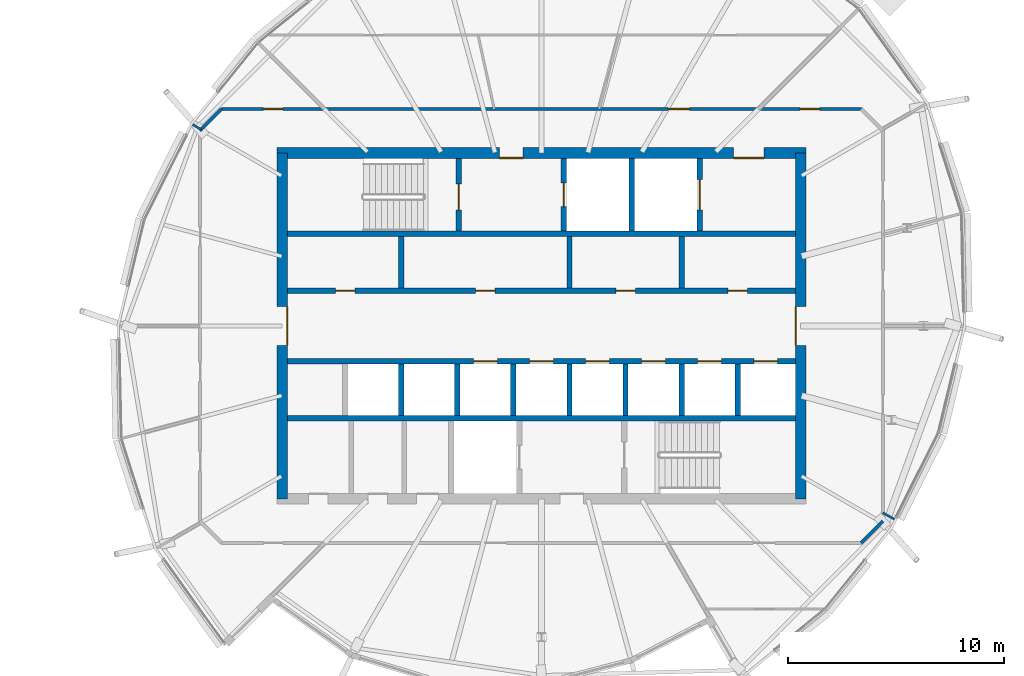
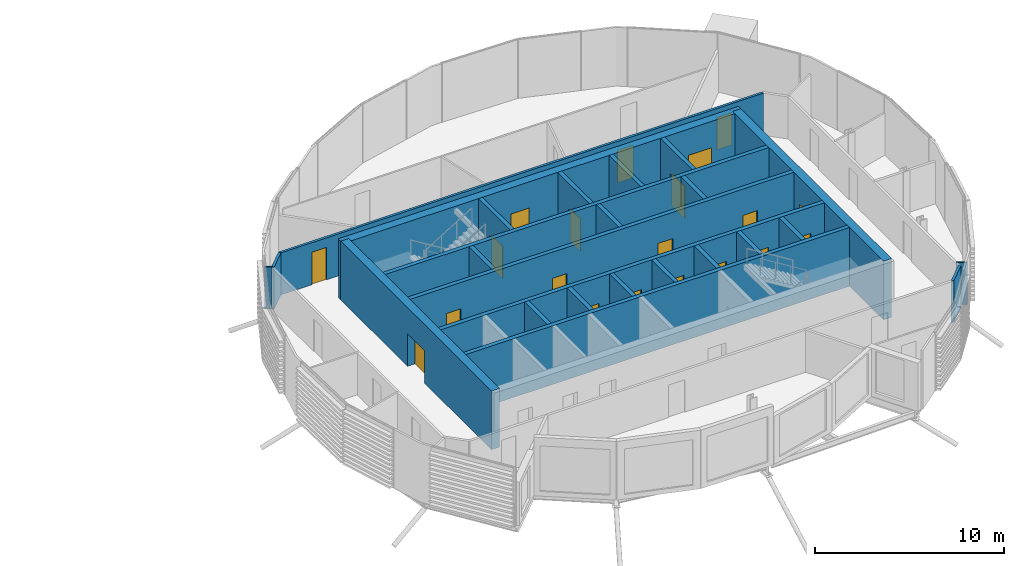
# One storey, part 20 of 35: 26 walls, 20 doors, 20 openings.
"""IFC4 building model written with IfcOpenShell, lengths in metres."""

from ifc_helpers import new_model, si_unit, direction, frame, frame_2d, origin, place, context, subcontext, project, spatial, rectangle, extrude, material, layer, layer_set, type_object, element, fill, save


model = new_model("IFC4")

# Units and contexts
model_context = context("Model", 3, precision=1e-05, world=origin(), true_north=direction((0.0, 1.0)))
body_context = subcontext(model_context, "Body", "Model", "MODEL_VIEW")
ifc_project = project(units=[si_unit("LENGTHUNIT", "METRE"), si_unit("AREAUNIT", "SQUARE_METRE"), si_unit("VOLUMEUNIT", "CUBIC_METRE"), si_unit("PLANEANGLEUNIT", "RADIAN"), si_unit("MASSUNIT", "GRAM", prefix="KILO")], contexts=[model_context])

# Site, building, storey
site_placement = place(None, origin())
site = spatial("IfcSite", under=ifc_project, at=site_placement, CompositionType="ELEMENT")
building_placement = place(site_placement, origin())
building = spatial("IfcBuilding", under=site, at=building_placement, Name="Rimbun Link Towers", CompositionType="ELEMENT")
storey_placement = place(building_placement, frame((0.0, 0.0, 225.699951171875)))
storey = spatial("IfcBuildingStorey", under=building, at=storey_placement, Name="L55", CompositionType="ELEMENT", Elevation=225.699951171875)

# Wall, openings, doors
ifc_material_1 = material(Name="Concrete C60/75", Category="concrete")
ifc_layer_1 = layer(ifc_material_1, 0.5)
ifc_layer_set_1 = layer_set([ifc_layer_1], Name="Core shear wall 500")
wall_type_1 = type_object("IfcWallType", Name="Core shear wall 500", PredefinedType="SHEAR", material=ifc_layer_set_1)
wall_1_placement = place(storey_placement, frame((19.5, 8.0, 0.0), z_axis=(0.0, 0.0, 1.0), x_axis=(1.0, 0.0, 0.0)))
wall_1 = element("IfcWall", 1, at=wall_1_placement, inside=storey, type_object=wall_type_1, Name="L55 T2 core wall N", PredefinedType="SHEAR", context=body_context, shape_type="SweptSolid", body=[
    extrude(rectangle(XDim=24.5, YDim=0.5, at=frame_2d((12.25, 0.0))), origin(), (0.0, 0.0, 1.0), 3.800048828125),
])
opening_1_placement = place(wall_1_placement, frame((10.300048828125, 0.0, 0.0)))
opening_1 = element("IfcOpeningElement", 2, at=opening_1_placement, cuts=wall_1, Name="Opening C2DCF01N", PredefinedType="OPENING", context=body_context, shape_type="SweptSolid", body=[
    extrude(rectangle(XDim=1.10009765625, YDim=2.10009765625, at=frame_2d((0.550048828125, 1.050048828125))), frame((0.0, 0.260009765625, 0.0), z_axis=(0.0, -1.0, 0.0), x_axis=(1.0, 0.0, 0.0)), (0.0, 0.0, 1.0), 0.52001953125),
])
opening_2_placement = place(wall_1_placement, frame((21.14990234375, 0.0, 0.0)))
opening_2 = element("IfcOpeningElement", 3, at=opening_2_placement, cuts=wall_1, Name="Opening C2DSL02N", PredefinedType="OPENING", context=body_context, shape_type="SweptSolid", body=[
    extrude(rectangle(XDim=1.39990234375, YDim=2.10009765625, at=frame_2d((0.699951171875, 1.050048828125))), frame((0.0, 0.260009765625, 0.0), z_axis=(0.0, -1.0, 0.0), x_axis=(1.0, 0.0, 0.0)), (0.0, 0.0, 1.0), 0.52001953125),
])
ifc_material_2 = material(Name="Steel fire door set", Category="steel")
door_type_1 = type_object("IfcDoorType", Name="Core fire door single", OperationType="SINGLE_SWING_LEFT", PredefinedType="DOOR", material=ifc_material_2)
door_1_placement = place(opening_1_placement, origin())
door_1 = element("IfcDoor", 4, at=door_1_placement, inside=storey, type_object=door_type_1, Name="L55 T2 firefighting lobby n door", OperationType="SINGLE_SWING_RIGHT", OverallHeight=2.10009765625, OverallWidth=1.10009765625, PredefinedType="DOOR", context=body_context, shape_type="SweptSolid", body=[
    extrude(rectangle(XDim=1.10009765625, YDim=2.10009765625, at=frame_2d((0.550048828125, 1.050048828125))), frame((0.0, -0.2001953125, 0.0), z_axis=(0.0, -1.0, 0.0), x_axis=(1.0, 0.0, 0.0)), (0.0, 0.0, 1.0), 0.050048828125),
])
fill(opening_1, door_1)
ifc_material_3 = material(Name="Steel fire door set", Category="steel")
door_type_2 = type_object("IfcDoorType", Name="Service lobby door double", OperationType="DOUBLE_DOOR_SINGLE_SWING", PredefinedType="DOOR", material=ifc_material_3)
door_2_placement = place(opening_2_placement, origin())
door_2 = element("IfcDoor", 5, at=door_2_placement, inside=storey, type_object=door_type_2, Name="L55 T2 service lobby door", OperationType="DOUBLE_DOOR_SINGLE_SWING", OverallHeight=2.10009765625, OverallWidth=1.39990234375, PredefinedType="DOOR", context=body_context, shape_type="SweptSolid", body=[
    extrude(rectangle(XDim=1.39990234375, YDim=2.10009765625, at=frame_2d((0.699951171875, 1.050048828125))), frame((0.0, -0.2001953125, 0.0), z_axis=(0.0, -1.0, 0.0), x_axis=(1.0, 0.0, 0.0)), (0.0, 0.0, 1.0), 0.050048828125),
])
fill(opening_2, door_2)

# Wall, opening, door
wall_2_placement = place(storey_placement, frame((43.75, -8.0, 0.0), z_axis=(0.0, 0.0, 1.0), x_axis=(0.0, 1.0, 0.0)))
wall_2 = element("IfcWall", 6, at=wall_2_placement, inside=storey, type_object=wall_type_1, Name="L55 T2 core wall E", PredefinedType="SHEAR", context=body_context, shape_type="SweptSolid", body=[
    extrude(rectangle(XDim=16.0, YDim=0.5, at=frame_2d((8.0, 0.0))), origin(), (0.0, 0.0, 1.0), 3.800048828125),
])
opening_3_placement = place(wall_2_placement, frame((7.10009765625, 0.0, 0.0)))
opening_3 = element("IfcOpeningElement", 7, at=opening_3_placement, cuts=wall_2, Name="Opening C2DCL01E", PredefinedType="OPENING", context=body_context, shape_type="SweptSolid", body=[
    extrude(rectangle(XDim=1.800048828125, YDim=2.10009765625, at=frame_2d((0.89990234375, 1.050048828125))), frame((0.0, 0.260009765625, 0.0), z_axis=(0.0, -1.0, 0.0), x_axis=(1.0, 0.0, 0.0)), (0.0, 0.0, 1.0), 0.52001953125),
])
ifc_material_4 = material(Name="Steel fire door set", Category="steel")
door_type_3 = type_object("IfcDoorType", Name="Core lobby door double", OperationType="DOUBLE_DOOR_SINGLE_SWING", PredefinedType="DOOR", material=ifc_material_4)
door_3_placement = place(opening_3_placement, origin())
door_3 = element("IfcDoor", 8, at=door_3_placement, inside=storey, type_object=door_type_3, Name="L55 T2 lift lobby door", OperationType="DOUBLE_DOOR_SINGLE_SWING", OverallHeight=2.10009765625, OverallWidth=1.800048828125, PredefinedType="DOOR", context=body_context, shape_type="SweptSolid", body=[
    extrude(rectangle(XDim=1.800048828125, YDim=2.10009765625, at=frame_2d((0.89990234375, 1.050048828125))), frame((0.0, 0.25, 0.0), z_axis=(0.0, -1.0, 0.0), x_axis=(1.0, 0.0, 0.0)), (0.0, 0.0, 1.0), 0.050048828125),
])
fill(opening_3, door_3)

wall_3_placement = place(storey_placement, frame((19.75, -8.0, 0.0), z_axis=(0.0, 0.0, 1.0), x_axis=(0.0, 1.0, 0.0)))
wall_3 = element("IfcWall", 9, at=wall_3_placement, inside=storey, type_object=wall_type_1, Name="L55 T2 core wall W", PredefinedType="SHEAR", context=body_context, shape_type="SweptSolid", body=[
    extrude(rectangle(XDim=16.0, YDim=0.5, at=frame_2d((8.0, 0.0))), origin(), (0.0, 0.0, 1.0), 3.800048828125),
])
opening_4_placement = place(wall_3_placement, frame((7.10009765625, 0.0, 0.0)))
opening_4 = element("IfcOpeningElement", 10, at=opening_4_placement, cuts=wall_3, Name="Opening C2DCL01W", PredefinedType="OPENING", context=body_context, shape_type="SweptSolid", body=[
    extrude(rectangle(XDim=1.800048828125, YDim=2.10009765625, at=frame_2d((0.89990234375, 1.050048828125))), frame((0.0, 0.260009765625, 0.0), z_axis=(0.0, -1.0, 0.0), x_axis=(1.0, 0.0, 0.0)), (0.0, 0.0, 1.0), 0.52001953125),
])
door_4_placement = place(opening_4_placement, origin())
door_4 = element("IfcDoor", 11, at=door_4_placement, inside=storey, type_object=door_type_3, Name="L55 T2 lift lobby door", OperationType="DOUBLE_DOOR_SINGLE_SWING", OverallHeight=2.10009765625, OverallWidth=1.800048828125, PredefinedType="DOOR", context=body_context, shape_type="SweptSolid", body=[
    extrude(rectangle(XDim=1.800048828125, YDim=2.10009765625, at=frame_2d((0.89990234375, 1.050048828125))), frame((0.0, -0.2001953125, 0.0), z_axis=(0.0, -1.0, 0.0), x_axis=(1.0, 0.0, 0.0)), (0.0, 0.0, 1.0), 0.050048828125),
])
fill(opening_4, door_4)

# Wall, openings, doors
ifc_material_5 = material(Name="Plasterboard on steel stud, mineral wool", Category="steel")
ifc_layer_2 = layer(ifc_material_5, 0.14990234375)
ifc_layer_set_2 = layer_set([ifc_layer_2], Name="Corridor wall EI 30 150 mm")
wall_type_2 = type_object("IfcWallType", Name="Corridor wall EI 30 150 mm", PredefinedType="PARTITIONING", material=ifc_layer_set_2)
wall_4_placement = place(storey_placement, frame((16.9462890625, 10.044921875, 0.0), z_axis=(0.0, 0.0, 1.0), x_axis=(1.0, 0.0, 0.0)))
wall_4 = element("IfcWall", 12, at=wall_4_placement, inside=storey, type_object=wall_type_2, Name="Corridor wall EI 30 150 mm", PredefinedType="PARTITIONING", context=body_context, shape_type="SweptSolid", body=[
    extrude(rectangle(XDim=29.607421875, YDim=0.14990234375, at=frame_2d((14.8037109375, 0.0))), origin(), (0.0, 0.0, 1.0), 2.72216796875),
])
opening_5_placement = place(wall_4_placement, frame((26.778076171875, 0.0, 0.0)))
opening_5 = element("IfcOpeningElement", 13, at=opening_5_placement, cuts=wall_4, Name="Opening D02", PredefinedType="OPENING", context=body_context, shape_type="SweptSolid", body=[
    extrude(rectangle(XDim=0.89990234375, YDim=2.10009765625, at=frame_2d((0.449951171875, 1.050048828125))), frame((0.0, 0.0849609375, 0.0), z_axis=(0.0, -1.0, 0.0), x_axis=(1.0, 0.0, 0.0)), (0.0, 0.0, 1.0), 0.169921875),
])
opening_6_placement = place(wall_4_placement, frame((20.66455078125, 0.0, 0.0)))
opening_6 = element("IfcOpeningElement", 14, at=opening_6_placement, cuts=wall_4, Name="Opening D01", PredefinedType="OPENING", context=body_context, shape_type="SweptSolid", body=[
    extrude(rectangle(XDim=1.0, YDim=2.10009765625, at=frame_2d((0.5, 1.050048828125))), frame((0.0, 0.0849609375, 0.0), z_axis=(0.0, -1.0, 0.0), x_axis=(1.0, 0.0, 0.0)), (0.0, 0.0, 1.0), 0.169921875),
])
opening_7_placement = place(wall_4_placement, frame((1.92919921875, 0.0, 0.0)))
opening_7 = element("IfcOpeningElement", 15, at=opening_7_placement, cuts=wall_4, Name="Opening D02", PredefinedType="OPENING", context=body_context, shape_type="SweptSolid", body=[
    extrude(rectangle(XDim=0.89990234375, YDim=2.10009765625, at=frame_2d((0.449951171875, 1.050048828125))), frame((0.0, 0.0849609375, 0.0), z_axis=(0.0, -1.0, 0.0), x_axis=(1.0, 0.0, 0.0)), (0.0, 0.0, 1.0), 0.169921875),
])
ifc_material_6 = material(Name="Fire-resisting timber door leaf", Category="wood")
door_type_4 = type_object("IfcDoorType", Name="Fire door FD30S 1000", OperationType="NOTDEFINED", PredefinedType="DOOR", material=ifc_material_6)
door_5_placement = place(opening_6_placement, origin())
door_5 = element("IfcDoor", 16, at=door_5_placement, inside=storey, type_object=door_type_4, Name="Fire door FD30S 1000 to Reception", OperationType="SINGLE_SWING_LEFT", OverallHeight=2.10009765625, OverallWidth=1.0, PredefinedType="DOOR", context=body_context, shape_type="SweptSolid", body=[
    extrude(rectangle(XDim=1.0, YDim=2.10009765625, at=frame_2d((0.5, 1.050048828125))), frame((0.0, 0.02490234375, 0.0), z_axis=(0.0, -1.0, 0.0), x_axis=(1.0, 0.0, 0.0)), (0.0, 0.0, 1.0), 0.050048828125),
])
fill(opening_6, door_5)
ifc_material_7 = material(Name="Fire-resisting timber door leaf", Category="wood")
door_type_5 = type_object("IfcDoorType", Name="Fire door FD30S 900", OperationType="NOTDEFINED", PredefinedType="DOOR", material=ifc_material_7)
door_6_placement = place(opening_5_placement, origin())
door_6 = element("IfcDoor", 17, at=door_6_placement, inside=storey, type_object=door_type_5, Name="Fire door FD30S 900 to Meeting room", OperationType="SINGLE_SWING_RIGHT", OverallHeight=2.10009765625, OverallWidth=0.89990234375, PredefinedType="DOOR", context=body_context, shape_type="SweptSolid", body=[
    extrude(rectangle(XDim=0.89990234375, YDim=2.10009765625, at=frame_2d((0.449951171875, 1.050048828125))), frame((0.0, 0.02490234375, 0.0), z_axis=(0.0, -1.0, 0.0), x_axis=(1.0, 0.0, 0.0)), (0.0, 0.0, 1.0), 0.050048828125),
])
fill(opening_5, door_6)
door_7_placement = place(opening_7_placement, origin())
door_7 = element("IfcDoor", 18, at=door_7_placement, inside=storey, type_object=door_type_5, Name="Fire door FD30S 900 to Meeting room", OperationType="SINGLE_SWING_RIGHT", OverallHeight=2.10009765625, OverallWidth=0.89990234375, PredefinedType="DOOR", context=body_context, shape_type="SweptSolid", body=[
    extrude(rectangle(XDim=0.89990234375, YDim=2.10009765625, at=frame_2d((0.449951171875, 1.050048828125))), frame((0.0, 0.02490234375, 0.0), z_axis=(0.0, -1.0, 0.0), x_axis=(1.0, 0.0, 0.0)), (0.0, 0.0, 1.0), 0.050048828125),
])
fill(opening_7, door_7)

# Walls
for number, where, z_axis, x_axis, name in (
    (19, (46.5537109375, -10.044921875, 0.0), (0.0, 0.0, 1.0), (0.707106781187, 0.707106781187, 0.0), "Corridor wall EI 30 150 mm"),
    (20, (16.9462890625, 10.044921875, 0.0), (0.0, 0.0, 1.0), (-0.707106781187, -0.707106781187, 0.0), "Corridor wall EI 30 150 mm"),
):
    element("IfcWall", number, at=place(storey_placement, frame(where, z_axis=z_axis, x_axis=x_axis)), inside=storey, type_object=wall_type_2, Name=name, PredefinedType="PARTITIONING", context=body_context, shape_type="SweptSolid", body=[
        extrude(rectangle(XDim=1.416015625, YDim=0.14990234375, at=frame_2d((0.7080078125, 0.0))), origin(), (0.0, 0.0, 1.0), 2.72216796875),
    ])
ifc_material_8 = material(Name="Plasterboard on steel stud", Category="steel")
ifc_layer_3 = layer(ifc_material_8, 0.10009765625)
ifc_layer_set_3 = layer_set([ifc_layer_3], Name="Plasterboard partition 100 mm")
wall_type_3 = type_object("IfcWallType", Name="Plasterboard partition 100 mm", PredefinedType="PARTITIONING", material=ifc_layer_set_3)
wall_5_placement = place(storey_placement, frame((48.089111328125, -8.945068359375, 0.0), z_axis=(0.0, 0.0, 1.0), x_axis=(-0.877128434288, 0.480255879468, 0.0)))
element("IfcWall", 21, at=wall_5_placement, inside=storey, type_object=wall_type_3, Name="Plasterboard partition 100 mm", PredefinedType="PARTITIONING", context=body_context, shape_type="SweptSolid", body=[
    extrude(rectangle(XDim=0.609130859375, YDim=0.10009765625, at=frame_2d((0.3046875, 0.0))), origin(), (0.0, 0.0, 1.0), 2.72216796875),
])
wall_6_placement = place(storey_placement, frame((15.600830078125, 9.32373046875, 0.0), z_axis=(0.0, 0.0, 1.0), x_axis=(0.865998750002, -0.500046162864, 0.0)))
element("IfcWall", 22, at=wall_6_placement, inside=storey, type_object=wall_type_3, Name="Plasterboard partition 100 mm", PredefinedType="PARTITIONING", context=body_context, shape_type="SweptSolid", body=[
    extrude(rectangle(XDim=0.45703125, YDim=0.10009765625, at=frame_2d((0.228515625, 0.0))), origin(), (0.0, 0.0, 1.0), 2.72216796875),
])
ifc_material_9 = material(Name="Concrete C60/75", Category="concrete")
ifc_layer_4 = layer(ifc_material_9, 0.25)
ifc_layer_set_4 = layer_set([ifc_layer_4], Name="Shaft wall 250")
wall_type_4 = type_object("IfcWallType", Name="Shaft wall 250", PredefinedType="SHEAR", material=ifc_layer_set_4)
for number, where, z_axis, x_axis, name in (
    (23, (20.0, 4.27490234375, 0.0), (0.0, 0.0, 1.0), (1.0, 0.0, 0.0), "L55 T2 core wall BN"),
    (24, (20.0, -4.27490234375, 0.0), (0.0, 0.0, 1.0), (1.0, 0.0, 0.0), "L55 T2 core wall BS"),
):
    element("IfcWall", number, at=place(storey_placement, frame(where, z_axis=z_axis, x_axis=x_axis)), inside=storey, type_object=wall_type_4, Name=name, PredefinedType="SHEAR", context=body_context, shape_type="SweptSolid", body=[
        extrude(rectangle(XDim=23.5, YDim=0.25, at=frame_2d((11.75, 0.0))), origin(), (0.0, 0.0, 1.0), 3.800048828125),
    ])

# Wall, openings, doors
wall_7_placement = place(storey_placement, frame((20.0, 1.625, 0.0), z_axis=(0.0, 0.0, 1.0), x_axis=(1.0, 0.0, 0.0)))
wall_7 = element("IfcWall", 25, at=wall_7_placement, inside=storey, type_object=wall_type_4, Name="L55 T2 core wall FN", PredefinedType="SHEAR", context=body_context, shape_type="SweptSolid", body=[
    extrude(rectangle(XDim=23.5, YDim=0.25, at=frame_2d((11.75, 0.0))), origin(), (0.0, 0.0, 1.0), 3.800048828125),
])
opening_8_placement = place(wall_7_placement, frame((2.219482421875, 0.0, 0.0)))
opening_8 = element("IfcOpeningElement", 26, at=opening_8_placement, cuts=wall_7, Name="Opening C2DRS01FN", PredefinedType="OPENING", context=body_context, shape_type="SweptSolid", body=[
    extrude(rectangle(XDim=0.89990234375, YDim=2.10009765625, at=frame_2d((0.449951171875, 1.050048828125))), frame((0.0, 0.135009765625, 0.0), z_axis=(0.0, -1.0, 0.0), x_axis=(1.0, 0.0, 0.0)), (0.0, 0.0, 1.0), 0.27001953125),
])
opening_9_placement = place(wall_7_placement, frame((8.70556640625, 0.0, 0.0)))
opening_9 = element("IfcOpeningElement", 27, at=opening_9_placement, cuts=wall_7, Name="Opening C2DRS02FN", PredefinedType="OPENING", context=body_context, shape_type="SweptSolid", body=[
    extrude(rectangle(XDim=0.89990234375, YDim=2.10009765625, at=frame_2d((0.449951171875, 1.050048828125))), frame((0.0, 0.135009765625, 0.0), z_axis=(0.0, -1.0, 0.0), x_axis=(1.0, 0.0, 0.0)), (0.0, 0.0, 1.0), 0.27001953125),
])
opening_10_placement = place(wall_7_placement, frame((15.191650390625, 0.0, 0.0)))
opening_10 = element("IfcOpeningElement", 28, at=opening_10_placement, cuts=wall_7, Name="Opening C2DRS03FN", PredefinedType="OPENING", context=body_context, shape_type="SweptSolid", body=[
    extrude(rectangle(XDim=0.89990234375, YDim=2.10009765625, at=frame_2d((0.449951171875, 1.050048828125))), frame((0.0, 0.135009765625, 0.0), z_axis=(0.0, -1.0, 0.0), x_axis=(1.0, 0.0, 0.0)), (0.0, 0.0, 1.0), 0.27001953125),
])
opening_11_placement = place(wall_7_placement, frame((20.380615234375, 0.0, 0.0)))
opening_11 = element("IfcOpeningElement", 29, at=opening_11_placement, cuts=wall_7, Name="Opening C2DRS04FN", PredefinedType="OPENING", context=body_context, shape_type="SweptSolid", body=[
    extrude(rectangle(XDim=0.89990234375, YDim=2.10009765625, at=frame_2d((0.449951171875, 1.050048828125))), frame((0.0, 0.135009765625, 0.0), z_axis=(0.0, -1.0, 0.0), x_axis=(1.0, 0.0, 0.0)), (0.0, 0.0, 1.0), 0.27001953125),
])
ifc_material_10 = material(Name="Steel fire door set", Category="steel")
door_type_6 = type_object("IfcDoorType", Name="Core riser door", OperationType="SINGLE_SWING_LEFT", PredefinedType="DOOR", material=ifc_material_10)
door_8_placement = place(opening_8_placement, origin())
door_8 = element("IfcDoor", 30, at=door_8_placement, inside=storey, type_object=door_type_6, Name="L55 T2 first aid room door", OperationType="SINGLE_SWING_LEFT", OverallHeight=2.10009765625, OverallWidth=0.89990234375, PredefinedType="DOOR", context=body_context, shape_type="SweptSolid", body=[
    extrude(rectangle(XDim=0.89990234375, YDim=2.10009765625, at=frame_2d((0.449951171875, 1.050048828125))), frame((0.0, 0.02490234375, 0.0), z_axis=(0.0, -1.0, 0.0), x_axis=(1.0, 0.0, 0.0)), (0.0, 0.0, 1.0), 0.050048828125),
])
fill(opening_8, door_8)
door_9_placement = place(opening_9_placement, origin())
door_9 = element("IfcDoor", 31, at=door_9_placement, inside=storey, type_object=door_type_6, Name="L55 T2 plant room door", OperationType="SINGLE_SWING_LEFT", OverallHeight=2.10009765625, OverallWidth=0.89990234375, PredefinedType="DOOR", context=body_context, shape_type="SweptSolid", body=[
    extrude(rectangle(XDim=0.89990234375, YDim=2.10009765625, at=frame_2d((0.449951171875, 1.050048828125))), frame((0.0, 0.02490234375, 0.0), z_axis=(0.0, -1.0, 0.0), x_axis=(1.0, 0.0, 0.0)), (0.0, 0.0, 1.0), 0.050048828125),
])
fill(opening_9, door_9)
door_10_placement = place(opening_10_placement, origin())
door_10 = element("IfcDoor", 32, at=door_10_placement, inside=storey, type_object=door_type_6, Name="L55 T2 archive store door", OperationType="SINGLE_SWING_RIGHT", OverallHeight=2.10009765625, OverallWidth=0.89990234375, PredefinedType="DOOR", context=body_context, shape_type="SweptSolid", body=[
    extrude(rectangle(XDim=0.89990234375, YDim=2.10009765625, at=frame_2d((0.449951171875, 1.050048828125))), frame((0.0, 0.02490234375, 0.0), z_axis=(0.0, -1.0, 0.0), x_axis=(1.0, 0.0, 0.0)), (0.0, 0.0, 1.0), 0.050048828125),
])
fill(opening_10, door_10)
door_11_placement = place(opening_11_placement, origin())
door_11 = element("IfcDoor", 33, at=door_11_placement, inside=storey, type_object=door_type_6, Name="L55 T2 pantry door", OperationType="SINGLE_SWING_LEFT", OverallHeight=2.10009765625, OverallWidth=0.89990234375, PredefinedType="DOOR", context=body_context, shape_type="SweptSolid", body=[
    extrude(rectangle(XDim=0.89990234375, YDim=2.10009765625, at=frame_2d((0.449951171875, 1.050048828125))), frame((0.0, 0.02490234375, 0.0), z_axis=(0.0, -1.0, 0.0), x_axis=(1.0, 0.0, 0.0)), (0.0, 0.0, 1.0), 0.050048828125),
])
fill(opening_11, door_11)

wall_8_placement = place(storey_placement, frame((20.0, -1.625, 0.0), z_axis=(0.0, 0.0, 1.0), x_axis=(1.0, 0.0, 0.0)))
wall_8 = element("IfcWall", 34, at=wall_8_placement, inside=storey, type_object=wall_type_4, Name="L55 T2 core wall FS", PredefinedType="SHEAR", context=body_context, shape_type="SweptSolid", body=[
    extrude(rectangle(XDim=23.5, YDim=0.25, at=frame_2d((11.75, 0.0))), origin(), (0.0, 0.0, 1.0), 3.800048828125),
])
opening_12_placement = place(wall_8_placement, frame((8.605712890625, 0.0, 0.0)))
opening_12 = element("IfcOpeningElement", 35, at=opening_12_placement, cuts=wall_8, Name="Opening LD-T2-HR1", PredefinedType="OPENING", context=body_context, shape_type="SweptSolid", body=[
    extrude(rectangle(XDim=1.10009765625, YDim=2.10009765625, at=frame_2d((0.550048828125, 1.050048828125))), frame((0.0, 0.135009765625, 0.0), z_axis=(0.0, -1.0, 0.0), x_axis=(1.0, 0.0, 0.0)), (0.0, 0.0, 1.0), 0.27001953125),
])
opening_13_placement = place(wall_8_placement, frame((11.199951171875, 0.0, 0.0)))
opening_13 = element("IfcOpeningElement", 36, at=opening_13_placement, cuts=wall_8, Name="Opening LD-T2-HR2", PredefinedType="OPENING", context=body_context, shape_type="SweptSolid", body=[
    extrude(rectangle(XDim=1.10009765625, YDim=2.10009765625, at=frame_2d((0.550048828125, 1.050048828125))), frame((0.0, 0.135009765625, 0.0), z_axis=(0.0, -1.0, 0.0), x_axis=(1.0, 0.0, 0.0)), (0.0, 0.0, 1.0), 0.27001953125),
])
opening_14_placement = place(wall_8_placement, frame((13.79443359375, 0.0, 0.0)))
opening_14 = element("IfcOpeningElement", 37, at=opening_14_placement, cuts=wall_8, Name="Opening LD-T2-HR3", PredefinedType="OPENING", context=body_context, shape_type="SweptSolid", body=[
    extrude(rectangle(XDim=1.10009765625, YDim=2.10009765625, at=frame_2d((0.550048828125, 1.050048828125))), frame((0.0, 0.135009765625, 0.0), z_axis=(0.0, -1.0, 0.0), x_axis=(1.0, 0.0, 0.0)), (0.0, 0.0, 1.0), 0.27001953125),
])
opening_15_placement = place(wall_8_placement, frame((16.388916015625, 0.0, 0.0)))
opening_15 = element("IfcOpeningElement", 38, at=opening_15_placement, cuts=wall_8, Name="Opening LD-T2-HR4", PredefinedType="OPENING", context=body_context, shape_type="SweptSolid", body=[
    extrude(rectangle(XDim=1.10009765625, YDim=2.10009765625, at=frame_2d((0.550048828125, 1.050048828125))), frame((0.0, 0.135009765625, 0.0), z_axis=(0.0, -1.0, 0.0), x_axis=(1.0, 0.0, 0.0)), (0.0, 0.0, 1.0), 0.27001953125),
])
opening_16_placement = place(wall_8_placement, frame((18.9833984375, 0.0, 0.0)))
opening_16 = element("IfcOpeningElement", 39, at=opening_16_placement, cuts=wall_8, Name="Opening LD-T2-HR5", PredefinedType="OPENING", context=body_context, shape_type="SweptSolid", body=[
    extrude(rectangle(XDim=1.10009765625, YDim=2.10009765625, at=frame_2d((0.550048828125, 1.050048828125))), frame((0.0, 0.135009765625, 0.0), z_axis=(0.0, -1.0, 0.0), x_axis=(1.0, 0.0, 0.0)), (0.0, 0.0, 1.0), 0.27001953125),
])
opening_17_placement = place(wall_8_placement, frame((21.577880859375, 0.0, 0.0)))
opening_17 = element("IfcOpeningElement", 40, at=opening_17_placement, cuts=wall_8, Name="Opening LD-T2-HR6", PredefinedType="OPENING", context=body_context, shape_type="SweptSolid", body=[
    extrude(rectangle(XDim=1.10009765625, YDim=2.10009765625, at=frame_2d((0.550048828125, 1.050048828125))), frame((0.0, 0.135009765625, 0.0), z_axis=(0.0, -1.0, 0.0), x_axis=(1.0, 0.0, 0.0)), (0.0, 0.0, 1.0), 0.27001953125),
])
ifc_material_11 = material(Name="Stainless steel grade 316", Category="steel")
door_type_7 = type_object("IfcDoorType", Name="Lift landing door", OperationType="DOUBLE_DOOR_SLIDING", PredefinedType="DOOR", material=ifc_material_11)
door_12_placement = place(opening_12_placement, origin())
door_12 = element("IfcDoor", 41, at=door_12_placement, inside=storey, type_object=door_type_7, Name="L55 T2 lift HR1 landing door", OperationType="DOUBLE_DOOR_SLIDING", OverallHeight=2.10009765625, OverallWidth=1.10009765625, PredefinedType="DOOR", context=body_context, shape_type="SweptSolid", body=[
    extrude(rectangle(XDim=1.10009765625, YDim=2.10009765625, at=frame_2d((0.550048828125, 1.050048828125))), frame((0.0, 0.02490234375, 0.0), z_axis=(0.0, -1.0, 0.0), x_axis=(1.0, 0.0, 0.0)), (0.0, 0.0, 1.0), 0.050048828125),
])
fill(opening_12, door_12)
door_13_placement = place(opening_13_placement, origin())
door_13 = element("IfcDoor", 42, at=door_13_placement, inside=storey, type_object=door_type_7, Name="L55 T2 lift HR2 landing door", OperationType="DOUBLE_DOOR_SLIDING", OverallHeight=2.10009765625, OverallWidth=1.10009765625, PredefinedType="DOOR", context=body_context, shape_type="SweptSolid", body=[
    extrude(rectangle(XDim=1.10009765625, YDim=2.10009765625, at=frame_2d((0.550048828125, 1.050048828125))), frame((0.0, 0.02490234375, 0.0), z_axis=(0.0, -1.0, 0.0), x_axis=(1.0, 0.0, 0.0)), (0.0, 0.0, 1.0), 0.050048828125),
])
fill(opening_13, door_13)
door_14_placement = place(opening_14_placement, origin())
door_14 = element("IfcDoor", 43, at=door_14_placement, inside=storey, type_object=door_type_7, Name="L55 T2 lift HR3 landing door", OperationType="DOUBLE_DOOR_SLIDING", OverallHeight=2.10009765625, OverallWidth=1.10009765625, PredefinedType="DOOR", context=body_context, shape_type="SweptSolid", body=[
    extrude(rectangle(XDim=1.10009765625, YDim=2.10009765625, at=frame_2d((0.550048828125, 1.050048828125))), frame((0.0, 0.02490234375, 0.0), z_axis=(0.0, -1.0, 0.0), x_axis=(1.0, 0.0, 0.0)), (0.0, 0.0, 1.0), 0.050048828125),
])
fill(opening_14, door_14)
door_15_placement = place(opening_15_placement, origin())
door_15 = element("IfcDoor", 44, at=door_15_placement, inside=storey, type_object=door_type_7, Name="L55 T2 lift HR4 landing door", OperationType="DOUBLE_DOOR_SLIDING", OverallHeight=2.10009765625, OverallWidth=1.10009765625, PredefinedType="DOOR", context=body_context, shape_type="SweptSolid", body=[
    extrude(rectangle(XDim=1.10009765625, YDim=2.10009765625, at=frame_2d((0.550048828125, 1.050048828125))), frame((0.0, 0.02490234375, 0.0), z_axis=(0.0, -1.0, 0.0), x_axis=(1.0, 0.0, 0.0)), (0.0, 0.0, 1.0), 0.050048828125),
])
fill(opening_15, door_15)
door_16_placement = place(opening_16_placement, origin())
door_16 = element("IfcDoor", 45, at=door_16_placement, inside=storey, type_object=door_type_7, Name="L55 T2 lift HR5 landing door", OperationType="DOUBLE_DOOR_SLIDING", OverallHeight=2.10009765625, OverallWidth=1.10009765625, PredefinedType="DOOR", context=body_context, shape_type="SweptSolid", body=[
    extrude(rectangle(XDim=1.10009765625, YDim=2.10009765625, at=frame_2d((0.550048828125, 1.050048828125))), frame((0.0, 0.02490234375, 0.0), z_axis=(0.0, -1.0, 0.0), x_axis=(1.0, 0.0, 0.0)), (0.0, 0.0, 1.0), 0.050048828125),
])
fill(opening_16, door_16)
door_17_placement = place(opening_17_placement, origin())
door_17 = element("IfcDoor", 46, at=door_17_placement, inside=storey, type_object=door_type_7, Name="L55 T2 lift HR6 landing door", OperationType="DOUBLE_DOOR_SLIDING", OverallHeight=2.10009765625, OverallWidth=1.10009765625, PredefinedType="DOOR", context=body_context, shape_type="SweptSolid", body=[
    extrude(rectangle(XDim=1.10009765625, YDim=2.10009765625, at=frame_2d((0.550048828125, 1.050048828125))), frame((0.0, 0.02490234375, 0.0), z_axis=(0.0, -1.0, 0.0), x_axis=(1.0, 0.0, 0.0)), (0.0, 0.0, 1.0), 0.050048828125),
])
fill(opening_17, door_17)

# Walls
for number, where, z_axis, x_axis, name in (
    (47, (25.263916015625, 1.75, 0.0), (0.0, 0.0, 1.0), (0.0, 1.0, 0.0), "L55 T2 core wall DN1"),
    (48, (33.047119140625, 1.75, 0.0), (0.0, 0.0, 1.0), (0.0, 1.0, 0.0), "L55 T2 core wall DN4"),
    (49, (38.236083984375, 1.75, 0.0), (0.0, 0.0, 1.0), (0.0, 1.0, 0.0), "L55 T2 core wall DN6"),
    (50, (25.263916015625, -4.14990234375, 0.0), (0.0, 0.0, 1.0), (0.0, 1.0, 0.0), "L55 T2 core wall DS1"),
    (51, (27.8583984375, -4.14990234375, 0.0), (0.0, 0.0, 1.0), (0.0, 1.0, 0.0), "L55 T2 core wall DS2"),
    (52, (30.452880859375, -4.14990234375, 0.0), (0.0, 0.0, 1.0), (0.0, 1.0, 0.0), "L55 T2 core wall DS3"),
    (53, (33.047119140625, -4.14990234375, 0.0), (0.0, 0.0, 1.0), (0.0, 1.0, 0.0), "L55 T2 core wall DS4"),
    (54, (35.6416015625, -4.14990234375, 0.0), (0.0, 0.0, 1.0), (0.0, 1.0, 0.0), "L55 T2 core wall DS5"),
    (55, (38.236083984375, -4.14990234375, 0.0), (0.0, 0.0, 1.0), (0.0, 1.0, 0.0), "L55 T2 core wall DS6"),
    (56, (40.83056640625, -4.14990234375, 0.0), (0.0, 0.0, 1.0), (0.0, 1.0, 0.0), "L55 T2 core wall DS7"),
):
    element("IfcWall", number, at=place(storey_placement, frame(where, z_axis=z_axis, x_axis=x_axis)), inside=storey, type_object=wall_type_4, Name=name, PredefinedType="SHEAR", context=body_context, shape_type="SweptSolid", body=[
        extrude(rectangle(XDim=2.39990234375, YDim=0.25, at=frame_2d((1.199951171875, 0.0))), origin(), (0.0, 0.0, 1.0), 3.800048828125),
    ])

# Wall, opening, door
wall_9_placement = place(storey_placement, frame((27.925048828125, 4.39990234375, 0.0), z_axis=(0.0, 0.0, 1.0), x_axis=(0.0, 1.0, 0.0)))
wall_9 = element("IfcWall", 57, at=wall_9_placement, inside=storey, type_object=wall_type_4, Name="L55 T2 core wall A1", PredefinedType="SHEAR", context=body_context, shape_type="SweptSolid", body=[
    extrude(rectangle(XDim=3.35009765625, YDim=0.25, at=frame_2d((1.675048828125, 0.0))), origin(), (0.0, 0.0, 1.0), 3.800048828125),
])
opening_18_placement = place(wall_9_placement, frame((0.97509765625, 0.0, 0.0)))
opening_18 = element("IfcOpeningElement", 58, at=opening_18_placement, cuts=wall_9, Name="Opening C2DST01A1", PredefinedType="OPENING", context=body_context, shape_type="SweptSolid", body=[
    extrude(rectangle(XDim=1.199951171875, YDim=2.10009765625, at=frame_2d((0.60009765625, 1.050048828125))), frame((0.0, 0.135009765625, 0.0), z_axis=(0.0, -1.0, 0.0), x_axis=(1.0, 0.0, 0.0)), (0.0, 0.0, 1.0), 0.27001953125),
])
ifc_material_12 = material(Name="Steel fire door set", Category="steel")
door_type_8 = type_object("IfcDoorType", Name="Stair door", OperationType="SINGLE_SWING_LEFT", PredefinedType="DOOR", material=ifc_material_12)
door_18_placement = place(opening_18_placement, origin())
door_18 = element("IfcDoor", 59, at=door_18_placement, inside=storey, type_object=door_type_8, Name="L55 T2 stair a door", OperationType="SINGLE_SWING_RIGHT", OverallHeight=2.10009765625, OverallWidth=1.199951171875, PredefinedType="DOOR", context=body_context, shape_type="SweptSolid", body=[
    extrude(rectangle(XDim=1.199951171875, YDim=2.10009765625, at=frame_2d((0.60009765625, 1.050048828125))), frame((0.0, 0.02490234375, 0.0), z_axis=(0.0, -1.0, 0.0), x_axis=(1.0, 0.0, 0.0)), (0.0, 0.0, 1.0), 0.050048828125),
])
fill(opening_18, door_18)

wall_10_placement = place(storey_placement, frame((32.77490234375, 4.39990234375, 0.0), z_axis=(0.0, 0.0, 1.0), x_axis=(0.0, 1.0, 0.0)))
wall_10 = element("IfcWall", 60, at=wall_10_placement, inside=storey, type_object=wall_type_4, Name="L55 T2 core wall A2", PredefinedType="SHEAR", context=body_context, shape_type="SweptSolid", body=[
    extrude(rectangle(XDim=3.35009765625, YDim=0.25, at=frame_2d((1.675048828125, 0.0))), origin(), (0.0, 0.0, 1.0), 3.800048828125),
])
opening_19_placement = place(wall_10_placement, frame((1.125, 0.0, 0.0)))
opening_19 = element("IfcOpeningElement", 61, at=opening_19_placement, cuts=wall_10, Name="Opening LD-T2-FF1", PredefinedType="OPENING", context=body_context, shape_type="SweptSolid", body=[
    extrude(rectangle(XDim=1.10009765625, YDim=2.10009765625, at=frame_2d((0.550048828125, 1.050048828125))), frame((0.0, 0.135009765625, 0.0), z_axis=(0.0, -1.0, 0.0), x_axis=(1.0, 0.0, 0.0)), (0.0, 0.0, 1.0), 0.27001953125),
])
door_19_placement = place(opening_19_placement, origin())
door_19 = element("IfcDoor", 62, at=door_19_placement, inside=storey, type_object=door_type_7, Name="L55 T2 lift FF1 landing door", OperationType="DOUBLE_DOOR_SLIDING", OverallHeight=2.10009765625, OverallWidth=1.10009765625, PredefinedType="DOOR", context=body_context, shape_type="SweptSolid", body=[
    extrude(rectangle(XDim=1.10009765625, YDim=2.10009765625, at=frame_2d((0.550048828125, 1.050048828125))), frame((0.0, 0.02490234375, 0.0), z_axis=(0.0, -1.0, 0.0), x_axis=(1.0, 0.0, 0.0)), (0.0, 0.0, 1.0), 0.050048828125),
])
fill(opening_19, door_19)

# Wall
wall_11_placement = place(storey_placement, frame((35.925048828125, 4.39990234375, 0.0), z_axis=(0.0, 0.0, 1.0), x_axis=(0.0, 1.0, 0.0)))
element("IfcWall", 63, at=wall_11_placement, inside=storey, type_object=wall_type_4, Name="L55 T2 core wall A3", PredefinedType="SHEAR", context=body_context, shape_type="SweptSolid", body=[
    extrude(rectangle(XDim=3.35009765625, YDim=0.25, at=frame_2d((1.675048828125, 0.0))), origin(), (0.0, 0.0, 1.0), 3.800048828125),
])

# Wall, opening, door
wall_12_placement = place(storey_placement, frame((39.074951171875, 4.39990234375, 0.0), z_axis=(0.0, 0.0, 1.0), x_axis=(0.0, 1.0, 0.0)))
wall_12 = element("IfcWall", 64, at=wall_12_placement, inside=storey, type_object=wall_type_4, Name="L55 T2 core wall A4", PredefinedType="SHEAR", context=body_context, shape_type="SweptSolid", body=[
    extrude(rectangle(XDim=3.35009765625, YDim=0.25, at=frame_2d((1.675048828125, 0.0))), origin(), (0.0, 0.0, 1.0), 3.800048828125),
])
opening_20_placement = place(wall_12_placement, frame((0.97509765625, 0.0, 0.0)))
opening_20 = element("IfcOpeningElement", 65, at=opening_20_placement, cuts=wall_12, Name="Opening LD-T2-GL1", PredefinedType="OPENING", context=body_context, shape_type="SweptSolid", body=[
    extrude(rectangle(XDim=1.39990234375, YDim=2.10009765625, at=frame_2d((0.699951171875, 1.050048828125))), frame((0.0, 0.135009765625, 0.0), z_axis=(0.0, -1.0, 0.0), x_axis=(1.0, 0.0, 0.0)), (0.0, 0.0, 1.0), 0.27001953125),
])
ifc_material_13 = material(Name="Stainless steel grade 316", Category="steel")
door_type_9 = type_object("IfcDoorType", Name="Goods lift landing door", OperationType="DOUBLE_DOOR_SLIDING", PredefinedType="DOOR", material=ifc_material_13)
door_20_placement = place(opening_20_placement, origin())
door_20 = element("IfcDoor", 66, at=door_20_placement, inside=storey, type_object=door_type_9, Name="L55 T2 lift GL1 landing door", OperationType="DOUBLE_DOOR_SLIDING", OverallHeight=2.10009765625, OverallWidth=1.39990234375, PredefinedType="DOOR", context=body_context, shape_type="SweptSolid", body=[
    extrude(rectangle(XDim=1.39990234375, YDim=2.10009765625, at=frame_2d((0.699951171875, 1.050048828125))), frame((0.0, 0.02490234375, 0.0), z_axis=(0.0, -1.0, 0.0), x_axis=(1.0, 0.0, 0.0)), (0.0, 0.0, 1.0), 0.050048828125),
])
fill(opening_20, door_20)

save(model, "model.ifc")
